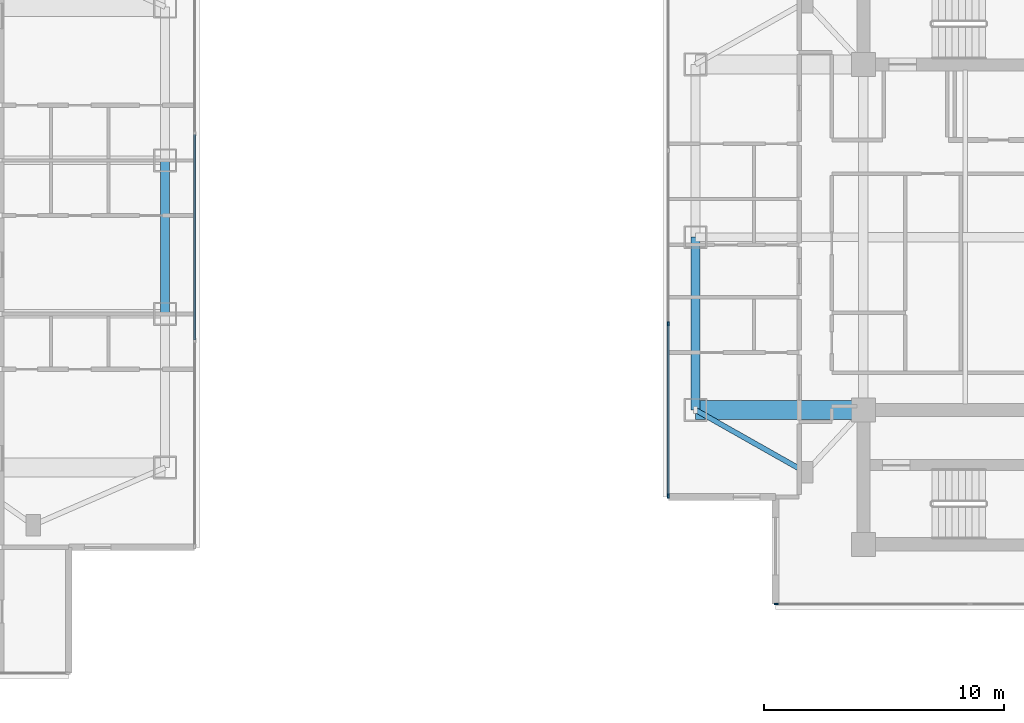
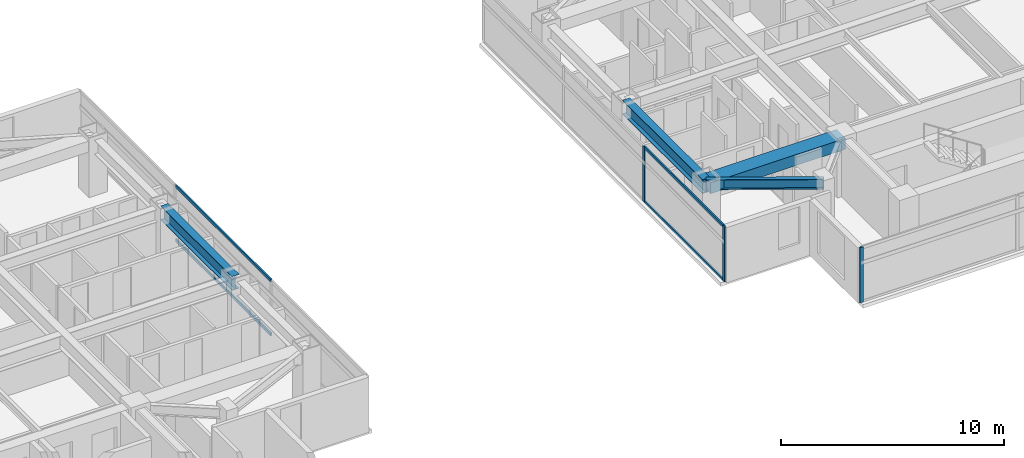
# One storey, part 5 of 24: 7 members, 4 beams, 3 elements without a shape of their own.
"""IFC4 building model written with IfcOpenShell, lengths in metres."""

from ifc_helpers import new_model, si_unit, direction, frame, origin, origin_2d, place, context, subcontext, project, spatial, rectangle, i_section, extrude, material, material_profile, profile_set, type_object, element, aggregate, save


model = new_model("IFC4")

# Units and contexts
model_context = context("Model", 3, precision=1e-05, world=origin(), true_north=direction((0.0, 1.0)))
body_context = subcontext(model_context, "Body", "Model", "MODEL_VIEW")
ifc_project = project(units=[si_unit("LENGTHUNIT", "METRE"), si_unit("AREAUNIT", "SQUARE_METRE"), si_unit("VOLUMEUNIT", "CUBIC_METRE"), si_unit("PLANEANGLEUNIT", "RADIAN"), si_unit("MASSUNIT", "GRAM", prefix="KILO")], contexts=[model_context])

# Site, building, storey
site_placement = place(None, origin())
site = spatial("IfcSite", under=ifc_project, at=site_placement, CompositionType="ELEMENT")
building_placement = place(site_placement, origin())
building = spatial("IfcBuilding", under=site, at=building_placement, Name="Mirazonda Arch Towers", CompositionType="ELEMENT")
storey_placement = place(building_placement, frame((0.0, 0.0, 154.39990234375)))
storey = spatial("IfcBuildingStorey", under=building, at=storey_placement, Name="L43", CompositionType="ELEMENT", Elevation=154.39990234375)

# Beams
ifc_material_1 = material(Name="Steel ASTM A992 Grade 50", Category="steel")
ifc_material_profile_1 = material_profile(ifc_material_1, i_section(OverallWidth=0.381103515625, OverallDepth=0.77294921875, WebThickness=0.0166015625, FlangeThickness=0.027099609375, at=origin_2d()), Name="W30X173")
ifc_profile_set_1 = profile_set([ifc_material_profile_1], Name="Steel ASTM A992 Grade 50")
beam_type_1 = type_object("IfcBeamType", Name="BM-EXT-W30X173", PredefinedType="USERDEFINED", material=ifc_profile_set_1)
beam_1_placement = place(storey_placement, frame((38.89990234375, 24.800048828125, 2.66357421875), z_axis=(0.0, 1.0, 0.0), x_axis=(-1.0, 0.0, 0.0)))
element("IfcBeam", 1, at=beam_1_placement, inside=storey, type_object=beam_type_1, Name="L43 Floor Beam BM-T1-L43-NS-E-24", ObjectType="GIRDER", PredefinedType="USERDEFINED", context=body_context, shape_type="SweptSolid", body=[
    extrude(i_section(OverallWidth=0.381103515625, OverallDepth=0.77294921875, WebThickness=0.0166015625, FlangeThickness=0.027099609375, at=origin_2d()), origin(), (0.0, 0.0, 1.0), 6.39990234375),
])
beam_2_placement = place(storey_placement, frame((61.0, 20.800048828125, 2.66357421875), z_axis=(0.0, 1.0, 0.0), x_axis=(-1.0, 0.0, 0.0)))
element("IfcBeam", 2, at=beam_2_placement, inside=storey, type_object=beam_type_1, Name="L43 Floor Beam BM-T2-L43-NS-W-20", ObjectType="GIRDER", PredefinedType="USERDEFINED", context=body_context, shape_type="SweptSolid", body=[
    extrude(i_section(OverallWidth=0.381103515625, OverallDepth=0.77294921875, WebThickness=0.0166015625, FlangeThickness=0.027099609375, at=origin_2d()), origin(), (0.0, 0.0, 1.0), 7.199951171875),
])
ifc_material_profile_2 = material_profile(ifc_material_1, i_section(OverallWidth=0.214111328125, OverallDepth=0.549072265625, WebThickness=0.0146484375, FlangeThickness=0.023681640625, at=origin_2d()), Name="W21X93")
ifc_profile_set_2 = profile_set([ifc_material_profile_2], Name="Steel ASTM A992 Grade 50")
beam_type_2 = type_object("IfcBeamType", Name="BM-INT-W21X93", PredefinedType="BEAM", material=ifc_profile_set_2)
beam_3_placement = place(storey_placement, frame((65.60009765625, 18.199951171875, 2.775634765625), z_axis=(-0.870559396632, 0.492063346467, 0.0), x_axis=(-0.492063346467, -0.870559396632, 0.0)))
element("IfcBeam", 3, at=beam_3_placement, inside=storey, type_object=beam_type_2, Name="L43 Floor Beam BM-T2-L43-PL-SW2", PredefinedType="BEAM", context=body_context, shape_type="SweptSolid", body=[
    extrude(i_section(OverallWidth=0.214111328125, OverallDepth=0.549072265625, WebThickness=0.0146484375, FlangeThickness=0.023681640625, at=origin_2d()), origin(), (0.0, 0.0, 1.0), 5.2841796875),
])
ifc_material_2 = material(Name="Concrete C60/75", Category="concrete")
ifc_material_profile_3 = material_profile(ifc_material_2, rectangle(XDim=0.800048828125, YDim=0.60009765625, at=origin_2d()), Name="RCCB800x600")
ifc_profile_set_3 = profile_set([ifc_material_profile_3], Name="Concrete C60/75")
beam_type_3 = type_object("IfcBeamType", Name="CB-INT-RCCB800x600", PredefinedType="SPANDREL", material=ifc_profile_set_3)
beam_4_placement = place(storey_placement, frame((61.0, 20.800048828125, 2.75), z_axis=(1.0, 0.0, 0.0), x_axis=(0.0, 1.0, 0.0)))
element("IfcBeam", 4, at=beam_4_placement, inside=storey, type_object=beam_type_3, Name="L43 Floor Beam CBC-T2-L43-SW", PredefinedType="SPANDREL", context=body_context, shape_type="SweptSolid", body=[
    extrude(rectangle(XDim=0.800048828125, YDim=0.60009765625, at=origin_2d()), origin(), (0.0, 0.0, 1.0), 7.0),
])

# Curtain wall, member
ifc_material_3 = material(Name="Anodised Aluminium and Low-E Glass", Category="aluminium")
curtain_wall_type = type_object("IfcCurtainWallType", Name="CW-RES-UNIT", PredefinedType="NOTDEFINED", material=ifc_material_3)
curtain_wall_1_placement = place(storey_placement, origin())
curtain_wall_1 = element("IfcCurtainWall", 5, at=curtain_wall_1_placement, inside=storey, type_object=curtain_wall_type, Name="L43 T2 S Facade CW-L43-T2-S", PredefinedType="NOTDEFINED")
ifc_material_4 = material(Name="Anodised Aluminium Alloy", Category="aluminium")
ifc_material_profile_4 = material_profile(ifc_material_4, rectangle(XDim=0.074951171875, YDim=0.175048828125, at=origin_2d()), Name="ALU-MULL-75x175")
ifc_profile_set_4 = profile_set([ifc_material_profile_4], Name="Anodised Aluminium Alloy")
member_type_1 = type_object("IfcMemberType", Name="MULL-CW-RES-UNIT", PredefinedType="MULLION", material=ifc_profile_set_4)
member_1_placement = place(storey_placement, frame((64.3701171875, 12.70849609375, 0.0), z_axis=(0.0, 0.0, 1.0), x_axis=(0.0, -1.0, 0.0)))
member_1 = element("IfcMember", 6, at=member_1_placement, type_object=member_type_1, Name="CW-104 mullion 4", PredefinedType="MULLION", context=body_context, shape_type="SweptSolid", body=[
    extrude(rectangle(XDim=0.074951171875, YDim=0.175048828125, at=origin_2d()), origin(), (0.0, 0.0, 1.0), 3.030029296875),
])
aggregate(curtain_wall_1, [member_1])

# Curtain wall, members
curtain_wall_2_placement = place(storey_placement, origin())
curtain_wall_2 = element("IfcCurtainWall", 7, at=curtain_wall_2_placement, inside=storey, type_object=curtain_wall_type, Name="L43 T2 W Facade CW-L43-T2-W", PredefinedType="NOTDEFINED")
member_2_placement = place(storey_placement, frame((59.867431640625, 24.39111328125, 0.0), z_axis=(0.0, 0.0, 1.0), x_axis=(1.0, 0.0, 0.0)))
member_2 = element("IfcMember", 8, at=member_2_placement, type_object=member_type_1, Name="CW-104 mullion 3", PredefinedType="MULLION", context=body_context, shape_type="SweptSolid", body=[
    extrude(rectangle(XDim=0.074951171875, YDim=0.175048828125, at=origin_2d()), origin(), (0.0, 0.0, 1.0), 3.030029296875),
])
member_3_placement = place(storey_placement, frame((59.867431640625, 17.211181640625, 0.0), z_axis=(0.0, 0.0, 1.0), x_axis=(1.0, 0.0, 0.0)))
member_3 = element("IfcMember", 9, at=member_3_placement, type_object=member_type_1, Name="CW-104 mullion 4", PredefinedType="MULLION", context=body_context, shape_type="SweptSolid", body=[
    extrude(rectangle(XDim=0.074951171875, YDim=0.175048828125, at=origin_2d()), origin(), (0.0, 0.0, 1.0), 3.030029296875),
])

curtain_wall_3_placement = place(storey_placement, origin())
curtain_wall_3 = element("IfcCurtainWall", 10, at=curtain_wall_3_placement, inside=storey, type_object=curtain_wall_type, Name="L43 T1 E Facade CW-L43-T1-E", PredefinedType="NOTDEFINED")
ifc_material_profile_5 = material_profile(ifc_material_4, rectangle(XDim=0.074951171875, YDim=0.155029296875, at=origin_2d()), Name="ALU-TRAN-75x155")
ifc_profile_set_5 = profile_set([ifc_material_profile_5], Name="Anodised Aluminium Alloy")
member_type_2 = type_object("IfcMemberType", Name="TRAN-CW-RES-UNIT", PredefinedType="USERDEFINED", material=ifc_profile_set_5)
member_4_placement = place(storey_placement, frame((40.1298828125, 23.729248046875, 0.03759765625), z_axis=(0.0, 1.0, 0.0), x_axis=(-1.0, 0.0, 0.0)))
member_4 = element("IfcMember", 11, at=member_4_placement, type_object=member_type_2, Name="CW-104 transom 2.1", ObjectType="TRANSOM", PredefinedType="USERDEFINED", context=body_context, shape_type="SweptSolid", body=[
    extrude(rectangle(XDim=0.074951171875, YDim=0.155029296875, at=origin_2d()), origin(), (0.0, 0.0, 1.0), 8.54150390625),
])
member_5_placement = place(storey_placement, frame((40.1298828125, 23.729248046875, 2.99267578125), z_axis=(0.0, 1.0, 0.0), x_axis=(-1.0, 0.0, 0.0)))
member_5 = element("IfcMember", 12, at=member_5_placement, type_object=member_type_2, Name="CW-104 transom 2.2", ObjectType="TRANSOM", PredefinedType="USERDEFINED", context=body_context, shape_type="SweptSolid", body=[
    extrude(rectangle(XDim=0.074951171875, YDim=0.155029296875, at=origin_2d()), origin(), (0.0, 0.0, 1.0), 8.54150390625),
])
aggregate(curtain_wall_3, [member_4, member_5])

# Member
member_6_placement = place(storey_placement, frame((59.867431640625, 24.353759765625, 0.03759765625), z_axis=(0.0, -1.0, 0.0), x_axis=(1.0, 0.0, 0.0)))
member_6 = element("IfcMember", 13, at=member_6_placement, type_object=member_type_2, Name="CW-104 transom 3.1", ObjectType="TRANSOM", PredefinedType="USERDEFINED", context=body_context, shape_type="SweptSolid", body=[
    extrude(rectangle(XDim=0.074951171875, YDim=0.155029296875, at=origin_2d()), origin(), (0.0, 0.0, 1.0), 7.10498046875),
])

member_7_placement = place(storey_placement, frame((59.867431640625, 24.353759765625, 2.99267578125), z_axis=(0.0, -1.0, 0.0), x_axis=(1.0, 0.0, 0.0)))
member_7 = element("IfcMember", 14, at=member_7_placement, type_object=member_type_2, Name="CW-104 transom 3.2", ObjectType="TRANSOM", PredefinedType="USERDEFINED", context=body_context, shape_type="SweptSolid", body=[
    extrude(rectangle(XDim=0.074951171875, YDim=0.155029296875, at=origin_2d()), origin(), (0.0, 0.0, 1.0), 7.10498046875),
])

aggregate(curtain_wall_2, [member_2, member_3, member_6, member_7])

save(model, "model.ifc")
